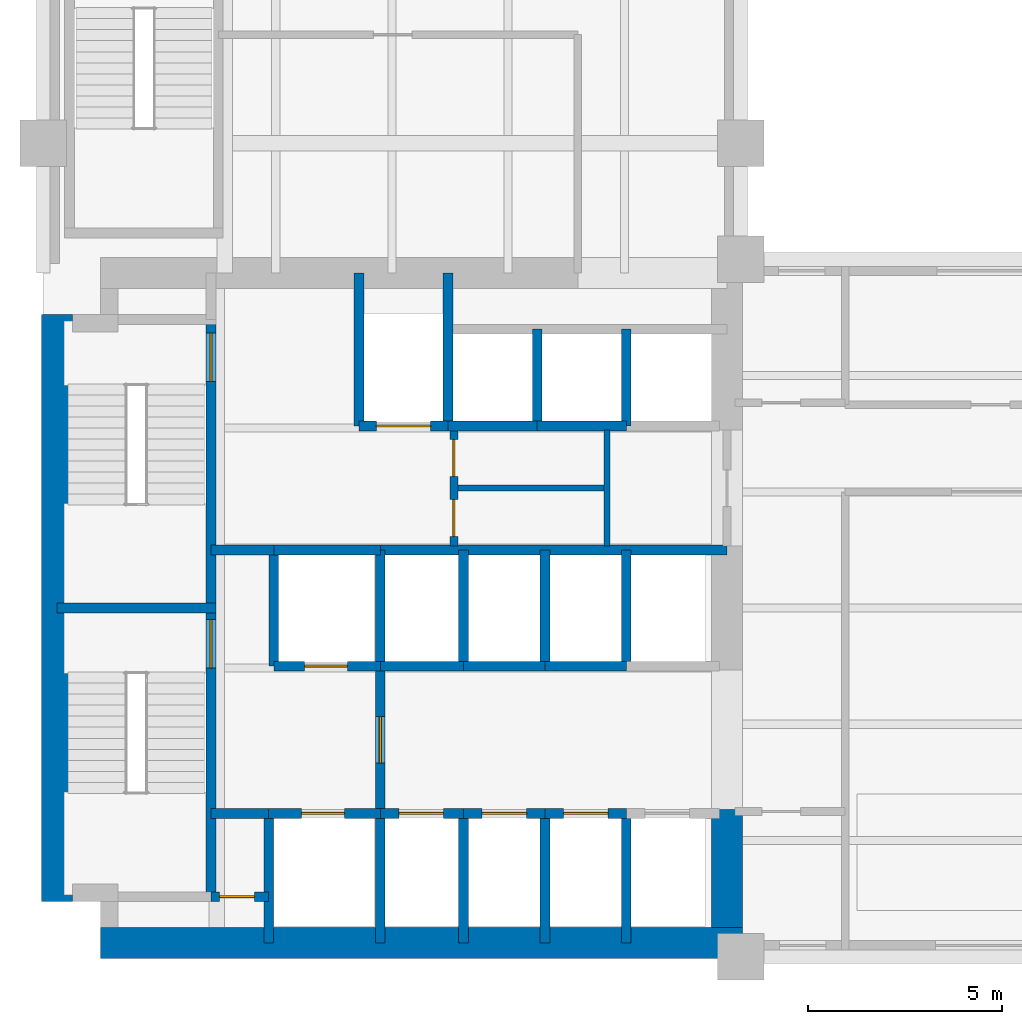
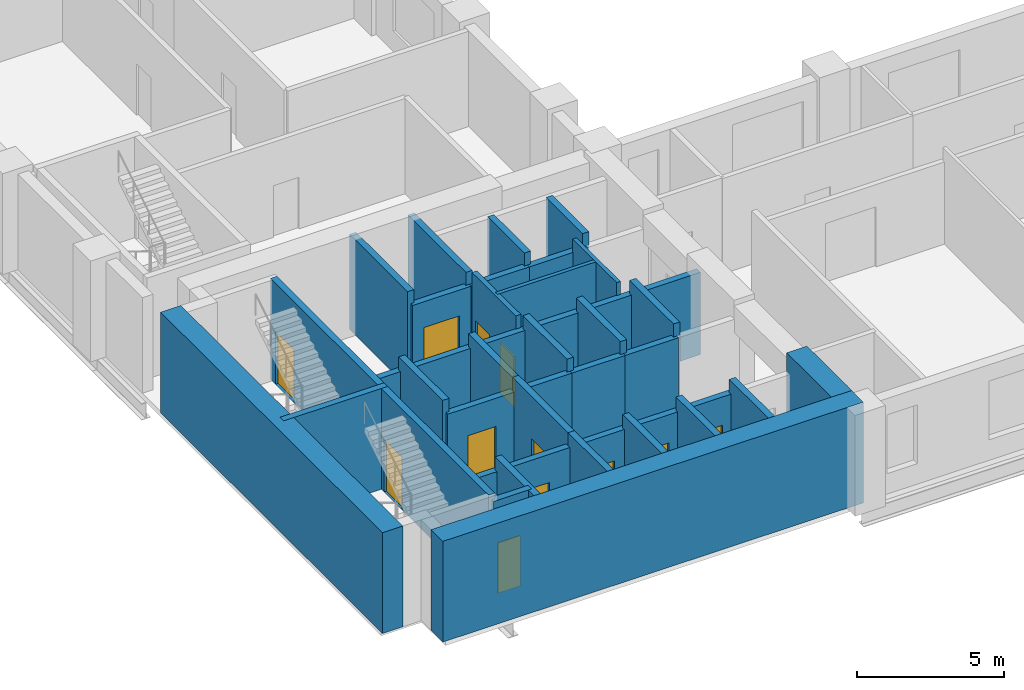
# One storey, part 3 of 7: 40 walls, 12 doors, 12 openings.
"""IFC4 building model written with IfcOpenShell, lengths in metres."""

from ifc_helpers import new_model, si_unit, direction, frame, frame_2d, origin, place, context, subcontext, project, spatial, rectangle, extrude, material, layer, layer_set, type_object, element, fill, save


model = new_model("IFC4")

# Units and contexts
model_context = context("Model", 3, precision=1e-05, world=origin(), true_north=direction((0.0, 1.0)))
body_context = subcontext(model_context, "Body", "Model", "MODEL_VIEW")
ifc_project = project(units=[si_unit("LENGTHUNIT", "METRE"), si_unit("AREAUNIT", "SQUARE_METRE"), si_unit("VOLUMEUNIT", "CUBIC_METRE"), si_unit("PLANEANGLEUNIT", "RADIAN"), si_unit("MASSUNIT", "GRAM", prefix="KILO")], contexts=[model_context])

# Site, building, storey
site_placement = place(None, origin())
site = spatial("IfcSite", under=ifc_project, at=site_placement, CompositionType="ELEMENT")
building_placement = place(site_placement, origin())
building = spatial("IfcBuilding", under=site, at=building_placement, Name="Mawjdan Bourse Tower", CompositionType="ELEMENT")
storey_placement = place(building_placement, frame((0.0, 0.0, 67.800048828125)))
storey = spatial("IfcBuildingStorey", under=building, at=storey_placement, Name="L15", CompositionType="ELEMENT", Elevation=67.800048828125)

# Wall, openings, doors
ifc_material_1 = material(Name="Gypsum Fireboard Assembly")
ifc_layer_1 = layer(ifc_material_1, 0.199951171875)
ifc_layer_set_1 = layer_set([ifc_layer_1], Name="Gypsum Fireboard Assembly")
wall_type_1 = type_object("IfcWallType", Name="WL-CMP-200", PredefinedType="PARTITIONING", material=ifc_layer_set_1)
wall_1_placement = place(storey_placement, frame((16.60009765625, 13.60009765625, 0.0), z_axis=(0.0, 0.0, 1.0), x_axis=(0.0, 1.0, 0.0)))
wall_1 = element("IfcWall", 1, at=wall_1_placement, inside=storey, type_object=wall_type_1, Name="L15 Core Restroom West Wall", PredefinedType="PARTITIONING", context=body_context, shape_type="SweptSolid", body=[
    extrude(rectangle(XDim=3.0, YDim=0.199951171875, at=frame_2d((1.5, 0.0))), origin(), (0.0, 0.0, 1.0), 3.969970703125),
])
opening_1_placement = place(wall_1_placement, frame((0.25, 0.0, 0.0)))
opening_1 = element("IfcOpeningElement", 2, at=opening_1_placement, cuts=wall_1, Name="Opening D-L15-14", PredefinedType="OPENING", context=body_context, shape_type="SweptSolid", body=[
    extrude(rectangle(XDim=0.949951171875, YDim=2.10009765625, at=frame_2d((0.47509765625, 1.050048828125))), frame((0.0, 0.10986328125, 0.0), z_axis=(0.0, -1.0, 0.0), x_axis=(1.0, 0.0, 0.0)), (0.0, 0.0, 1.0), 0.219970703125),
])
opening_2_placement = place(wall_1_placement, frame((1.800048828125, 0.0, 0.0)))
opening_2 = element("IfcOpeningElement", 3, at=opening_2_placement, cuts=wall_1, Name="Opening D-L15-15", PredefinedType="OPENING", context=body_context, shape_type="SweptSolid", body=[
    extrude(rectangle(XDim=0.949951171875, YDim=2.10009765625, at=frame_2d((0.47509765625, 1.050048828125))), frame((0.0, 0.10986328125, 0.0), z_axis=(0.0, -1.0, 0.0), x_axis=(1.0, 0.0, 0.0)), (0.0, 0.0, 1.0), 0.219970703125),
])
ifc_material_2 = material(Name="Moisture-Resistant Laminate Timber", Category="wood")
door_type_1 = type_object("IfcDoorType", Name="DR-WET-0950", OperationType="NOTDEFINED", PredefinedType="DOOR", material=ifc_material_2)
door_1_placement = place(opening_1_placement, origin())
door_1 = element("IfcDoor", 4, at=door_1_placement, inside=storey, type_object=door_type_1, Name="L15 Accessible WC West Entry Door D-L15-14", OperationType="SINGLE_SWING_RIGHT", OverallHeight=2.10009765625, OverallWidth=0.949951171875, PredefinedType="DOOR", context=body_context, shape_type="SweptSolid", body=[
    extrude(rectangle(XDim=0.949951171875, YDim=2.10009765625, at=frame_2d((0.47509765625, 1.050048828125))), frame((0.0, 0.02490234375, 0.0), z_axis=(0.0, -1.0, 0.0), x_axis=(1.0, 0.0, 0.0)), (0.0, 0.0, 1.0), 0.050048828125),
])
fill(opening_1, door_1)
door_2_placement = place(opening_2_placement, origin())
door_2 = element("IfcDoor", 5, at=door_2_placement, inside=storey, type_object=door_type_1, Name="L15 Male Restroom West Entry Door D-L15-15", OperationType="SINGLE_SWING_LEFT", OverallHeight=2.10009765625, OverallWidth=0.949951171875, PredefinedType="DOOR", context=body_context, shape_type="SweptSolid", body=[
    extrude(rectangle(XDim=0.949951171875, YDim=2.10009765625, at=frame_2d((0.47509765625, 1.050048828125))), frame((0.0, 0.02490234375, 0.0), z_axis=(0.0, -1.0, 0.0), x_axis=(1.0, 0.0, 0.0)), (0.0, 0.0, 1.0), 0.050048828125),
])
fill(opening_2, door_2)

# Walls
ifc_material_3 = material(Name="Concrete C80/95", Category="concrete")
ifc_layer_2 = layer(ifc_material_3, 0.800048828125)
ifc_layer_set_2 = layer_set([ifc_layer_2], Name="Concrete C80/95")
wall_type_2 = type_object("IfcWallType", Name="WL-CORE-800", PredefinedType="SHEAR", material=ifc_layer_set_2)
wall_2_placement = place(storey_placement, frame((7.47509765625, 3.35009765625, 0.0), z_axis=(0.0, 0.0, 1.0), x_axis=(1.0, 0.0, 0.0)))
element("IfcWall", 6, at=wall_2_placement, inside=storey, type_object=wall_type_2, Name="L15 Rear Core Shear Wall S", PredefinedType="SHEAR", context=body_context, shape_type="SweptSolid", body=[
    extrude(rectangle(XDim=16.574951171875, YDim=0.800048828125, at=frame_2d((8.28759765625, 0.0))), origin(), (0.0, 0.0, 1.0), 4.199951171875),
])
wall_3_placement = place(storey_placement, frame((6.35009765625, 4.425048828125, 0.0), z_axis=(0.0, 0.0, 1.0), x_axis=(0.0, 1.0, 0.0)))
element("IfcWall", 7, at=wall_3_placement, inside=storey, type_object=wall_type_2, Name="L15 Rear Core Shear Wall W", PredefinedType="SHEAR", context=body_context, shape_type="SweptSolid", body=[
    extrude(rectangle(XDim=15.14990234375, YDim=0.800048828125, at=frame_2d((7.574951171875, 0.0))), origin(), (0.0, 0.0, 1.0), 4.199951171875),
])
wall_4_placement = place(storey_placement, frame((23.64990234375, 3.75, 0.0), z_axis=(0.0, 0.0, 1.0), x_axis=(0.0, 1.0, 0.0)))
element("IfcWall", 8, at=wall_4_placement, inside=storey, type_object=wall_type_2, Name="L15 Rear Core Shear Wall E1", PredefinedType="SHEAR", context=body_context, shape_type="SweptSolid", body=[
    extrude(rectangle(XDim=3.050048828125, YDim=0.800048828125, at=frame_2d((1.52490234375, 0.0))), origin(), (0.0, 0.0, 1.0), 4.199951171875),
])
ifc_material_4 = material(Name="Gypsum Acoustic Partition")
ifc_layer_3 = layer(ifc_material_4, 0.14990234375)
ifc_layer_set_3 = layer_set([ifc_layer_3], Name="Gypsum Acoustic Partition")
wall_type_3 = type_object("IfcWallType", Name="WL-PRT-150", PredefinedType="PARTITIONING", material=ifc_layer_set_3)
wall_5_placement = place(storey_placement, frame((16.60009765625, 15.10009765625, 0.0), z_axis=(0.0, 0.0, 1.0), x_axis=(1.0, 0.0, 0.0)))
element("IfcWall", 9, at=wall_5_placement, inside=storey, type_object=wall_type_3, Name="L15 Core Restroom West Horizontal Split", PredefinedType="PARTITIONING", context=body_context, shape_type="SweptSolid", body=[
    extrude(rectangle(XDim=3.949951171875, YDim=0.14990234375, at=frame_2d((1.97509765625, 0.0))), origin(), (0.0, 0.0, 1.0), 3.969970703125),
])
wall_6_placement = place(storey_placement, frame((20.550048828125, 13.60009765625, 0.0), z_axis=(0.0, 0.0, 1.0), x_axis=(0.0, 1.0, 0.0)))
element("IfcWall", 10, at=wall_6_placement, inside=storey, type_object=wall_type_3, Name="L15 Core Restroom Vertical Split", PredefinedType="PARTITIONING", context=body_context, shape_type="SweptSolid", body=[
    extrude(rectangle(XDim=3.0, YDim=0.14990234375, at=frame_2d((1.5, 0.0))), origin(), (0.0, 0.0, 1.0), 3.969970703125),
])

# Wall, opening, door
ifc_material_5 = material(Name="Concrete C50/60", Category="concrete")
ifc_layer_4 = layer(ifc_material_5, 0.25)
ifc_layer_set_4 = layer_set([ifc_layer_4], Name="Concrete C50/60")
wall_type_4 = type_object("IfcWallType", Name="WL-SHFT-250", PredefinedType="PARTITIONING", material=ifc_layer_set_4)
wall_7_placement = place(storey_placement, frame((10.330078125, 4.550048828125, 0.0), z_axis=(0.0, 0.0, 1.0), x_axis=(1.0, 0.0, 0.0)))
wall_7 = element("IfcWall", 11, at=wall_7_placement, inside=storey, type_object=wall_type_4, Name="L15 SW Riser North Wall", PredefinedType="PARTITIONING", context=body_context, shape_type="SweptSolid", body=[
    extrude(rectangle(XDim=1.489990234375, YDim=0.25, at=frame_2d((0.7451171875, 0.0))), origin(), (0.0, 0.0, 1.0), 3.969970703125),
])
opening_3_placement = place(wall_7_placement, frame((0.219970703125, 0.0, 0.0)))
opening_3 = element("IfcOpeningElement", 12, at=opening_3_placement, cuts=wall_7, Name="Opening RD-L15-03", PredefinedType="OPENING", context=body_context, shape_type="SweptSolid", body=[
    extrude(rectangle(XDim=0.89990234375, YDim=2.10009765625, at=frame_2d((0.449951171875, 1.050048828125))), frame((0.0, 0.135009765625, 0.0), z_axis=(0.0, -1.0, 0.0), x_axis=(1.0, 0.0, 0.0)), (0.0, 0.0, 1.0), 0.27001953125),
])
ifc_material_6 = material(Name="Fire-Rated Steel Access Leaf", Category="steel")
door_type_2 = type_object("IfcDoorType", Name="FD-RSR-0900", OperationType="NOTDEFINED", PredefinedType="TRAPDOOR", material=ifc_material_6)
door_3_placement = place(opening_3_placement, origin())
door_3 = element("IfcDoor", 13, at=door_3_placement, inside=storey, type_object=door_type_2, Name="L15 Electrical Riser Access Door RD-L15-03", OperationType="SINGLE_SWING_RIGHT", OverallHeight=2.10009765625, OverallWidth=0.89990234375, PredefinedType="TRAPDOOR", context=body_context, shape_type="SweptSolid", body=[
    extrude(rectangle(XDim=0.89990234375, YDim=2.10009765625, at=frame_2d((0.449951171875, 1.050048828125))), frame((0.0, 0.02490234375, 0.0), z_axis=(0.0, -1.0, 0.0), x_axis=(1.0, 0.0, 0.0)), (0.0, 0.0, 1.0), 0.050048828125),
])
fill(opening_3, door_3)

# Wall
wall_8_placement = place(storey_placement, frame((11.820068359375, 3.35009765625, 0.0), z_axis=(0.0, 0.0, 1.0), x_axis=(0.0, 1.0, 0.0)))
element("IfcWall", 14, at=wall_8_placement, inside=storey, type_object=wall_type_4, Name="L15 SW Riser & FFL01 West Wall", PredefinedType="PARTITIONING", context=body_context, shape_type="SweptSolid", body=[
    extrude(rectangle(XDim=3.349853515625, YDim=0.25, at=frame_2d((1.6748046875, 0.0))), origin(), (0.0, 0.0, 1.0), 3.969970703125),
])

# Wall, opening, door
wall_9_placement = place(storey_placement, frame((11.820068359375, 6.699951171875, 0.0), z_axis=(0.0, 0.0, 1.0), x_axis=(1.0, 0.0, 0.0)))
wall_9 = element("IfcWall", 15, at=wall_9_placement, inside=storey, type_object=wall_type_4, Name="L15 FFL-01 Front Shaft Wall", PredefinedType="PARTITIONING", context=body_context, shape_type="SweptSolid", body=[
    extrude(rectangle(XDim=2.8798828125, YDim=0.25, at=frame_2d((1.43994140625, 0.0))), origin(), (0.0, 0.0, 1.0), 3.426025390625),
])
opening_4_placement = place(wall_9_placement, frame((0.85009765625, 0.0, 0.0)))
opening_4 = element("IfcOpeningElement", 16, at=opening_4_placement, cuts=wall_9, Name="Opening LD-L15-05", PredefinedType="OPENING", context=body_context, shape_type="SweptSolid", body=[
    extrude(rectangle(XDim=1.10009765625, YDim=2.25, at=frame_2d((0.550048828125, 1.125))), frame((0.0, 0.135009765625, 0.0), z_axis=(0.0, -1.0, 0.0), x_axis=(1.0, 0.0, 0.0)), (0.0, 0.0, 1.0), 0.27001953125),
])
ifc_material_7 = material(Name="Brushed Stainless Steel", Category="steel")
door_type_3 = type_object("IfcDoorType", Name="LD-FFL-1100", OperationType="DOUBLE_DOOR_SLIDING", PredefinedType="DOOR", material=ifc_material_7)
door_4_placement = place(opening_4_placement, origin())
door_4 = element("IfcDoor", 17, at=door_4_placement, inside=storey, type_object=door_type_3, Name="L15 Firefighting Lift FFL-01 Landing Door LD-L15-05", OperationType="DOUBLE_DOOR_SLIDING", OverallHeight=2.25, OverallWidth=1.10009765625, PredefinedType="DOOR", context=body_context, shape_type="SweptSolid", body=[
    extrude(rectangle(XDim=1.10009765625, YDim=2.25, at=frame_2d((0.550048828125, 1.125))), frame((0.0, 0.02490234375, 0.0), z_axis=(0.0, -1.0, 0.0), x_axis=(1.0, 0.0, 0.0)), (0.0, 0.0, 1.0), 0.050048828125),
])
fill(opening_4, door_4)

# Wall
wall_10_placement = place(storey_placement, frame((14.699951171875, 3.35009765625, 0.0), z_axis=(0.0, 0.0, 1.0), x_axis=(0.0, 1.0, 0.0)))
element("IfcWall", 18, at=wall_10_placement, inside=storey, type_object=wall_type_4, Name="L15 FFL-01 East Shaft Wall", PredefinedType="PARTITIONING", context=body_context, shape_type="SweptSolid", body=[
    extrude(rectangle(XDim=3.349853515625, YDim=0.25, at=frame_2d((1.6748046875, 0.0))), origin(), (0.0, 0.0, 1.0), 3.969970703125),
])

# Wall, opening, door
wall_11_placement = place(storey_placement, frame((11.949951171875, 10.5, 0.0), z_axis=(0.0, 0.0, 1.0), x_axis=(1.0, 0.0, 0.0)))
wall_11 = element("IfcWall", 19, at=wall_11_placement, inside=storey, type_object=wall_type_4, Name="L15 FFL-02 Front Shaft Wall", PredefinedType="PARTITIONING", context=body_context, shape_type="SweptSolid", body=[
    extrude(rectangle(XDim=2.75, YDim=0.25, at=frame_2d((1.375, 0.0))), origin(), (0.0, 0.0, 1.0), 3.426025390625),
])
opening_5_placement = place(wall_11_placement, frame((0.800048828125, 0.0, 0.0)))
opening_5 = element("IfcOpeningElement", 20, at=opening_5_placement, cuts=wall_11, Name="Opening LD-L15-06", PredefinedType="OPENING", context=body_context, shape_type="SweptSolid", body=[
    extrude(rectangle(XDim=1.10009765625, YDim=2.25, at=frame_2d((0.550048828125, 1.125))), frame((0.0, 0.135009765625, 0.0), z_axis=(0.0, -1.0, 0.0), x_axis=(1.0, 0.0, 0.0)), (0.0, 0.0, 1.0), 0.27001953125),
])
door_5_placement = place(opening_5_placement, origin())
door_5 = element("IfcDoor", 21, at=door_5_placement, inside=storey, type_object=door_type_3, Name="L15 Firefighting Lift FFL-02 Landing Door LD-L15-06", OperationType="DOUBLE_DOOR_SLIDING", OverallHeight=2.25, OverallWidth=1.10009765625, PredefinedType="DOOR", context=body_context, shape_type="SweptSolid", body=[
    extrude(rectangle(XDim=1.10009765625, YDim=2.25, at=frame_2d((0.550048828125, 1.125))), frame((0.0, 0.02490234375, 0.0), z_axis=(0.0, -1.0, 0.0), x_axis=(1.0, 0.0, 0.0)), (0.0, 0.0, 1.0), 0.050048828125),
])
fill(opening_5, door_5)

# Walls
wall_12_placement = place(storey_placement, frame((11.949951171875, 10.5, 0.0), z_axis=(0.0, 0.0, 1.0), x_axis=(0.0, 1.0, 0.0)))
element("IfcWall", 22, at=wall_12_placement, inside=storey, type_object=wall_type_4, Name="L15 FFL-02 West Shaft Wall", PredefinedType="PARTITIONING", context=body_context, shape_type="SweptSolid", body=[
    extrude(rectangle(XDim=3.0, YDim=0.25, at=frame_2d((1.5, 0.0))), origin(), (0.0, 0.0, 1.0), 3.969970703125),
])
wall_13_placement = place(storey_placement, frame((11.949951171875, 13.5, 0.0), z_axis=(0.0, 0.0, 1.0), x_axis=(1.0, 0.0, 0.0)))
element("IfcWall", 23, at=wall_13_placement, inside=storey, type_object=wall_type_4, Name="L15 FFL-02 North Shaft Wall", PredefinedType="PARTITIONING", context=body_context, shape_type="SweptSolid", body=[
    extrude(rectangle(XDim=2.75, YDim=0.25, at=frame_2d((1.375, 0.0))), origin(), (0.0, 0.0, 1.0), 3.426025390625),
])
wall_14_placement = place(storey_placement, frame((14.699951171875, 10.5, 0.0), z_axis=(0.0, 0.0, 1.0), x_axis=(0.0, 1.0, 0.0)))
element("IfcWall", 24, at=wall_14_placement, inside=storey, type_object=wall_type_4, Name="L15 FFL-02 East Shaft Wall", PredefinedType="PARTITIONING", context=body_context, shape_type="SweptSolid", body=[
    extrude(rectangle(XDim=3.0, YDim=0.25, at=frame_2d((1.5, 0.0))), origin(), (0.0, 0.0, 1.0), 3.969970703125),
])

# Wall, opening, door
wall_15_placement = place(storey_placement, frame((14.699951171875, 6.699951171875, 0.0), z_axis=(0.0, 0.0, 1.0), x_axis=(0.0, 1.0, 0.0)))
wall_15 = element("IfcWall", 25, at=wall_15_placement, inside=storey, type_object=wall_type_4, Name="L15 Firefighting Lobby East Compartment Wall", PredefinedType="PARTITIONING", context=body_context, shape_type="SweptSolid", body=[
    extrude(rectangle(XDim=3.800048828125, YDim=0.25, at=frame_2d((1.89990234375, 0.0))), origin(), (0.0, 0.0, 1.0), 3.969970703125),
])
opening_6_placement = place(wall_15_placement, frame((1.300048828125, 0.0, 0.0)))
opening_6 = element("IfcOpeningElement", 26, at=opening_6_placement, cuts=wall_15, Name="Opening FD-L15-07", PredefinedType="OPENING", context=body_context, shape_type="SweptSolid", body=[
    extrude(rectangle(XDim=1.199951171875, YDim=2.199951171875, at=frame_2d((0.60009765625, 1.10009765625))), frame((0.0, 0.135009765625, 0.0), z_axis=(0.0, -1.0, 0.0), x_axis=(1.0, 0.0, 0.0)), (0.0, 0.0, 1.0), 0.27001953125),
])
ifc_material_8 = material(Name="Fire-Rated Steel Leaf", Category="steel")
door_type_4 = type_object("IfcDoorType", Name="FD-FFL-1200", OperationType="NOTDEFINED", PredefinedType="DOOR", material=ifc_material_8)
door_6_placement = place(opening_6_placement, origin())
door_6 = element("IfcDoor", 27, at=door_6_placement, inside=storey, type_object=door_type_4, Name="L15 Firefighting Lobby East Smoke Door FD-L15-07", OperationType="SINGLE_SWING_RIGHT", OverallHeight=2.199951171875, OverallWidth=1.199951171875, PredefinedType="DOOR", context=body_context, shape_type="SweptSolid", body=[
    extrude(rectangle(XDim=1.199951171875, YDim=2.199951171875, at=frame_2d((0.60009765625, 1.10009765625))), frame((0.0, 0.02490234375, 0.0), z_axis=(0.0, -1.0, 0.0), x_axis=(1.0, 0.0, 0.0)), (0.0, 0.0, 1.0), 0.050048828125),
])
fill(opening_6, door_6)

# Walls
wall_16_placement = place(storey_placement, frame((10.330078125, 13.5, 0.0), z_axis=(0.0, 0.0, 1.0), x_axis=(1.0, 0.0, 0.0)))
element("IfcWall", 28, at=wall_16_placement, inside=storey, type_object=wall_type_4, Name="L15 Firefighting Lobby North Compartment Wall", PredefinedType="PARTITIONING", context=body_context, shape_type="SweptSolid", body=[
    extrude(rectangle(XDim=1.619873046875, YDim=0.25, at=frame_2d((0.81005859375, 0.0))), origin(), (0.0, 0.0, 1.0), 3.426025390625),
])
wall_17_placement = place(storey_placement, frame((10.330078125, 6.699951171875, 0.0), z_axis=(0.0, 0.0, 1.0), x_axis=(1.0, 0.0, 0.0)))
element("IfcWall", 29, at=wall_17_placement, inside=storey, type_object=wall_type_4, Name="L15 Firefighting Lobby South Closure Wall", PredefinedType="PARTITIONING", context=body_context, shape_type="SweptSolid", body=[
    extrude(rectangle(XDim=1.489990234375, YDim=0.25, at=frame_2d((0.7451171875, 0.0))), origin(), (0.0, 0.0, 1.0), 3.426025390625),
])

# Wall, opening, door
wall_18_placement = place(storey_placement, frame((14.14990234375, 16.699951171875, 0.0), z_axis=(0.0, 0.0, 1.0), x_axis=(1.0, 0.0, 0.0)))
wall_18 = element("IfcWall", 30, at=wall_18_placement, inside=storey, type_object=wall_type_4, Name="L15 SVL-01 Front Shaft Wall", PredefinedType="PARTITIONING", context=body_context, shape_type="SweptSolid", body=[
    extrude(rectangle(XDim=2.300048828125, YDim=0.25, at=frame_2d((1.14990234375, 0.0))), origin(), (0.0, 0.0, 1.0), 3.426025390625),
])
opening_7_placement = place(wall_18_placement, frame((0.449951171875, 0.0, 0.0)))
opening_7 = element("IfcOpeningElement", 31, at=opening_7_placement, cuts=wall_18, Name="Opening LD-L15-09", PredefinedType="OPENING", context=body_context, shape_type="SweptSolid", body=[
    extrude(rectangle(XDim=1.39990234375, YDim=2.35009765625, at=frame_2d((0.699951171875, 1.175048828125))), frame((0.0, 0.135009765625, 0.0), z_axis=(0.0, -1.0, 0.0), x_axis=(1.0, 0.0, 0.0)), (0.0, 0.0, 1.0), 0.27001953125),
])
ifc_material_9 = material(Name="Heavy-Duty Stainless Steel", Category="steel")
door_type_5 = type_object("IfcDoorType", Name="LD-SRV-1400", OperationType="DOUBLE_DOOR_SLIDING", PredefinedType="DOOR", material=ifc_material_9)
door_7_placement = place(opening_7_placement, origin())
door_7 = element("IfcDoor", 32, at=door_7_placement, inside=storey, type_object=door_type_5, Name="L15 Service Lift SVL-01 Landing Door LD-L15-09", OperationType="DOUBLE_DOOR_SLIDING", OverallHeight=2.35009765625, OverallWidth=1.39990234375, PredefinedType="DOOR", context=body_context, shape_type="SweptSolid", body=[
    extrude(rectangle(XDim=1.39990234375, YDim=2.35009765625, at=frame_2d((0.699951171875, 1.175048828125))), frame((0.0, 0.02490234375, 0.0), z_axis=(0.0, -1.0, 0.0), x_axis=(1.0, 0.0, 0.0)), (0.0, 0.0, 1.0), 0.050048828125),
])
fill(opening_7, door_7)

# Walls
for number, where, z_axis, x_axis, name in (
    (33, (14.14990234375, 16.699951171875, 0.0), (0.0, 0.0, 1.0), (0.0, 1.0, 0.0), "L15 SVL-01 West Shaft Wall"),
    (34, (16.449951171875, 16.699951171875, 0.0), (0.0, 0.0, 1.0), (0.0, 1.0, 0.0), "L15 SVL-01 East Shaft Wall"),
):
    element("IfcWall", number, at=place(storey_placement, frame(where, z_axis=z_axis, x_axis=x_axis)), inside=storey, type_object=wall_type_4, Name=name, PredefinedType="PARTITIONING", context=body_context, shape_type="SweptSolid", body=[
        extrude(rectangle(XDim=3.949951171875, YDim=0.25, at=frame_2d((1.97509765625, 0.0))), origin(), (0.0, 0.0, 1.0), 3.969970703125),
    ])
wall_19_placement = place(storey_placement, frame((16.449951171875, 16.699951171875, 0.0), z_axis=(0.0, 0.0, 1.0), x_axis=(1.0, 0.0, 0.0)))
element("IfcWall", 35, at=wall_19_placement, inside=storey, type_object=wall_type_4, Name="L15 PH-01 Front Wall", PredefinedType="PARTITIONING", context=body_context, shape_type="SweptSolid", body=[
    extrude(rectangle(XDim=2.300048828125, YDim=0.25, at=frame_2d((1.14990234375, 0.0))), origin(), (0.0, 0.0, 1.0), 3.426025390625),
])
wall_20_placement = place(storey_placement, frame((18.75, 16.699951171875, 0.0), z_axis=(0.0, 0.0, 1.0), x_axis=(0.0, 1.0, 0.0)))
element("IfcWall", 36, at=wall_20_placement, inside=storey, type_object=wall_type_4, Name="L15 PH-01 Divider Wall", PredefinedType="PARTITIONING", context=body_context, shape_type="SweptSolid", body=[
    extrude(rectangle(XDim=2.5, YDim=0.25, at=frame_2d((1.25, 0.0))), origin(), (0.0, 0.0, 1.0), 3.969970703125),
])
wall_21_placement = place(storey_placement, frame((18.75, 16.699951171875, 0.0), z_axis=(0.0, 0.0, 1.0), x_axis=(1.0, 0.0, 0.0)))
element("IfcWall", 37, at=wall_21_placement, inside=storey, type_object=wall_type_4, Name="L15 PH-02 Front Wall", PredefinedType="PARTITIONING", context=body_context, shape_type="SweptSolid", body=[
    extrude(rectangle(XDim=2.300048828125, YDim=0.25, at=frame_2d((1.14990234375, 0.0))), origin(), (0.0, 0.0, 1.0), 3.426025390625),
])
wall_22_placement = place(storey_placement, frame((21.050048828125, 16.699951171875, 0.0), z_axis=(0.0, 0.0, 1.0), x_axis=(0.0, 1.0, 0.0)))
element("IfcWall", 38, at=wall_22_placement, inside=storey, type_object=wall_type_4, Name="L15 PH-02 Divider Wall", PredefinedType="PARTITIONING", context=body_context, shape_type="SweptSolid", body=[
    extrude(rectangle(XDim=2.5, YDim=0.25, at=frame_2d((1.25, 0.0))), origin(), (0.0, 0.0, 1.0), 3.969970703125),
])

# Wall, opening, door
wall_23_placement = place(storey_placement, frame((14.699951171875, 6.699951171875, 0.0), z_axis=(0.0, 0.0, 1.0), x_axis=(1.0, 0.0, 0.0)))
wall_23 = element("IfcWall", 39, at=wall_23_placement, inside=storey, type_object=wall_type_4, Name="L15 PL-04 Front Wall", PredefinedType="PARTITIONING", context=body_context, shape_type="SweptSolid", body=[
    extrude(rectangle(XDim=2.150146484375, YDim=0.25, at=frame_2d((1.0751953125, 0.0))), origin(), (0.0, 0.0, 1.0), 3.426025390625),
])
opening_8_placement = place(wall_23_placement, frame((0.47998046875, 0.0, 0.0)))
opening_8 = element("IfcOpeningElement", 40, at=opening_8_placement, cuts=wall_23, Name="Opening LD-L15-10", PredefinedType="OPENING", context=body_context, shape_type="SweptSolid", body=[
    extrude(rectangle(XDim=1.14990234375, YDim=2.25, at=frame_2d((0.574951171875, 1.125))), frame((0.0, 0.135009765625, 0.0), z_axis=(0.0, -1.0, 0.0), x_axis=(1.0, 0.0, 0.0)), (0.0, 0.0, 1.0), 0.27001953125),
])
door_type_6 = type_object("IfcDoorType", Name="LD-PAS-1150", OperationType="DOUBLE_DOOR_SLIDING", PredefinedType="DOOR", material=ifc_material_7)
door_8_placement = place(opening_8_placement, origin())
door_8 = element("IfcDoor", 41, at=door_8_placement, inside=storey, type_object=door_type_6, Name="L15 Lift PL-04 Landing Door LD-L15-10", OperationType="DOUBLE_DOOR_SLIDING", OverallHeight=2.25, OverallWidth=1.14990234375, PredefinedType="DOOR", context=body_context, shape_type="SweptSolid", body=[
    extrude(rectangle(XDim=1.14990234375, YDim=2.25, at=frame_2d((0.574951171875, 1.125))), frame((0.0, 0.02490234375, 0.0), z_axis=(0.0, -1.0, 0.0), x_axis=(1.0, 0.0, 0.0)), (0.0, 0.0, 1.0), 0.050048828125),
])
fill(opening_8, door_8)

# Wall
wall_24_placement = place(storey_placement, frame((16.85009765625, 3.35009765625, 0.0), z_axis=(0.0, 0.0, 1.0), x_axis=(0.0, 1.0, 0.0)))
element("IfcWall", 42, at=wall_24_placement, inside=storey, type_object=wall_type_4, Name="L15 PL-04 Divider Wall", PredefinedType="PARTITIONING", context=body_context, shape_type="SweptSolid", body=[
    extrude(rectangle(XDim=3.349853515625, YDim=0.25, at=frame_2d((1.6748046875, 0.0))), origin(), (0.0, 0.0, 1.0), 3.969970703125),
])

# Wall, opening, door
wall_25_placement = place(storey_placement, frame((16.85009765625, 6.699951171875, 0.0), z_axis=(0.0, 0.0, 1.0), x_axis=(1.0, 0.0, 0.0)))
wall_25 = element("IfcWall", 43, at=wall_25_placement, inside=storey, type_object=wall_type_4, Name="L15 PL-01 Front Wall", PredefinedType="PARTITIONING", context=body_context, shape_type="SweptSolid", body=[
    extrude(rectangle(XDim=2.099853515625, YDim=0.25, at=frame_2d((1.0498046875, 0.0))), origin(), (0.0, 0.0, 1.0), 3.426025390625),
])
opening_9_placement = place(wall_25_placement, frame((0.47998046875, 0.0, 0.0)))
opening_9 = element("IfcOpeningElement", 44, at=opening_9_placement, cuts=wall_25, Name="Opening LD-L15-11", PredefinedType="OPENING", context=body_context, shape_type="SweptSolid", body=[
    extrude(rectangle(XDim=1.14990234375, YDim=2.25, at=frame_2d((0.574951171875, 1.125))), frame((0.0, 0.135009765625, 0.0), z_axis=(0.0, -1.0, 0.0), x_axis=(1.0, 0.0, 0.0)), (0.0, 0.0, 1.0), 0.27001953125),
])
door_9_placement = place(opening_9_placement, origin())
door_9 = element("IfcDoor", 45, at=door_9_placement, inside=storey, type_object=door_type_6, Name="L15 Lift PL-01 Landing Door LD-L15-11", OperationType="DOUBLE_DOOR_SLIDING", OverallHeight=2.25, OverallWidth=1.14990234375, PredefinedType="DOOR", context=body_context, shape_type="SweptSolid", body=[
    extrude(rectangle(XDim=1.14990234375, YDim=2.25, at=frame_2d((0.574951171875, 1.125))), frame((0.0, 0.02490234375, 0.0), z_axis=(0.0, -1.0, 0.0), x_axis=(1.0, 0.0, 0.0)), (0.0, 0.0, 1.0), 0.050048828125),
])
fill(opening_9, door_9)

# Wall
wall_26_placement = place(storey_placement, frame((18.949951171875, 3.35009765625, 0.0), z_axis=(0.0, 0.0, 1.0), x_axis=(0.0, 1.0, 0.0)))
element("IfcWall", 46, at=wall_26_placement, inside=storey, type_object=wall_type_4, Name="L15 PL-01 Divider Wall", PredefinedType="PARTITIONING", context=body_context, shape_type="SweptSolid", body=[
    extrude(rectangle(XDim=3.349853515625, YDim=0.25, at=frame_2d((1.6748046875, 0.0))), origin(), (0.0, 0.0, 1.0), 3.969970703125),
])

# Wall, opening, door
wall_27_placement = place(storey_placement, frame((18.949951171875, 6.699951171875, 0.0), z_axis=(0.0, 0.0, 1.0), x_axis=(1.0, 0.0, 0.0)))
wall_27 = element("IfcWall", 47, at=wall_27_placement, inside=storey, type_object=wall_type_4, Name="L15 PL-02 Front Wall", PredefinedType="PARTITIONING", context=body_context, shape_type="SweptSolid", body=[
    extrude(rectangle(XDim=2.10009765625, YDim=0.25, at=frame_2d((1.050048828125, 0.0))), origin(), (0.0, 0.0, 1.0), 3.426025390625),
])
opening_10_placement = place(wall_27_placement, frame((0.47998046875, 0.0, 0.0)))
opening_10 = element("IfcOpeningElement", 48, at=opening_10_placement, cuts=wall_27, Name="Opening LD-L15-12", PredefinedType="OPENING", context=body_context, shape_type="SweptSolid", body=[
    extrude(rectangle(XDim=1.14990234375, YDim=2.25, at=frame_2d((0.574951171875, 1.125))), frame((0.0, 0.135009765625, 0.0), z_axis=(0.0, -1.0, 0.0), x_axis=(1.0, 0.0, 0.0)), (0.0, 0.0, 1.0), 0.27001953125),
])
door_10_placement = place(opening_10_placement, origin())
door_10 = element("IfcDoor", 49, at=door_10_placement, inside=storey, type_object=door_type_6, Name="L15 Lift PL-02 Landing Door LD-L15-12", OperationType="DOUBLE_DOOR_SLIDING", OverallHeight=2.25, OverallWidth=1.14990234375, PredefinedType="DOOR", context=body_context, shape_type="SweptSolid", body=[
    extrude(rectangle(XDim=1.14990234375, YDim=2.25, at=frame_2d((0.574951171875, 1.125))), frame((0.0, 0.02490234375, 0.0), z_axis=(0.0, -1.0, 0.0), x_axis=(1.0, 0.0, 0.0)), (0.0, 0.0, 1.0), 0.050048828125),
])
fill(opening_10, door_10)

# Walls
wall_28_placement = place(storey_placement, frame((21.050048828125, 3.35009765625, 0.0), z_axis=(0.0, 0.0, 1.0), x_axis=(0.0, 1.0, 0.0)))
element("IfcWall", 50, at=wall_28_placement, inside=storey, type_object=wall_type_4, Name="L15 PL-02 Divider Wall", PredefinedType="PARTITIONING", context=body_context, shape_type="SweptSolid", body=[
    extrude(rectangle(XDim=3.349853515625, YDim=0.25, at=frame_2d((1.6748046875, 0.0))), origin(), (0.0, 0.0, 1.0), 3.969970703125),
])
wall_29_placement = place(storey_placement, frame((14.699951171875, 10.5, 0.0), z_axis=(0.0, 0.0, 1.0), x_axis=(1.0, 0.0, 0.0)))
element("IfcWall", 51, at=wall_29_placement, inside=storey, type_object=wall_type_4, Name="L15 PM-01 Front Wall", PredefinedType="PARTITIONING", context=body_context, shape_type="SweptSolid", body=[
    extrude(rectangle(XDim=2.150146484375, YDim=0.25, at=frame_2d((1.0751953125, 0.0))), origin(), (0.0, 0.0, 1.0), 3.426025390625),
])
wall_30_placement = place(storey_placement, frame((16.85009765625, 10.5, 0.0), z_axis=(0.0, 0.0, 1.0), x_axis=(0.0, 1.0, 0.0)))
element("IfcWall", 52, at=wall_30_placement, inside=storey, type_object=wall_type_4, Name="L15 PM-01 Divider Wall", PredefinedType="PARTITIONING", context=body_context, shape_type="SweptSolid", body=[
    extrude(rectangle(XDim=3.0, YDim=0.25, at=frame_2d((1.5, 0.0))), origin(), (0.0, 0.0, 1.0), 3.969970703125),
])
wall_31_placement = place(storey_placement, frame((16.85009765625, 10.5, 0.0), z_axis=(0.0, 0.0, 1.0), x_axis=(1.0, 0.0, 0.0)))
element("IfcWall", 53, at=wall_31_placement, inside=storey, type_object=wall_type_4, Name="L15 PM-02 Front Wall", PredefinedType="PARTITIONING", context=body_context, shape_type="SweptSolid", body=[
    extrude(rectangle(XDim=2.099853515625, YDim=0.25, at=frame_2d((1.0498046875, 0.0))), origin(), (0.0, 0.0, 1.0), 3.426025390625),
])
wall_32_placement = place(storey_placement, frame((18.949951171875, 10.5, 0.0), z_axis=(0.0, 0.0, 1.0), x_axis=(0.0, 1.0, 0.0)))
element("IfcWall", 54, at=wall_32_placement, inside=storey, type_object=wall_type_4, Name="L15 PM-02 Divider Wall", PredefinedType="PARTITIONING", context=body_context, shape_type="SweptSolid", body=[
    extrude(rectangle(XDim=3.0, YDim=0.25, at=frame_2d((1.5, 0.0))), origin(), (0.0, 0.0, 1.0), 3.969970703125),
])
wall_33_placement = place(storey_placement, frame((18.949951171875, 10.5, 0.0), z_axis=(0.0, 0.0, 1.0), x_axis=(1.0, 0.0, 0.0)))
element("IfcWall", 55, at=wall_33_placement, inside=storey, type_object=wall_type_4, Name="L15 PM-03 Front Wall", PredefinedType="PARTITIONING", context=body_context, shape_type="SweptSolid", body=[
    extrude(rectangle(XDim=2.10009765625, YDim=0.25, at=frame_2d((1.050048828125, 0.0))), origin(), (0.0, 0.0, 1.0), 3.426025390625),
])
wall_34_placement = place(storey_placement, frame((21.050048828125, 10.5, 0.0), z_axis=(0.0, 0.0, 1.0), x_axis=(0.0, 1.0, 0.0)))
element("IfcWall", 56, at=wall_34_placement, inside=storey, type_object=wall_type_4, Name="L15 PM-03 Divider Wall", PredefinedType="PARTITIONING", context=body_context, shape_type="SweptSolid", body=[
    extrude(rectangle(XDim=3.0, YDim=0.25, at=frame_2d((1.5, 0.0))), origin(), (0.0, 0.0, 1.0), 3.969970703125),
])
wall_35_placement = place(storey_placement, frame((14.699951171875, 13.5, 0.0), z_axis=(0.0, 0.0, 1.0), x_axis=(1.0, 0.0, 0.0)))
element("IfcWall", 57, at=wall_35_placement, inside=storey, type_object=wall_type_4, Name="L15 PM Bank North Shaft Back Wall", PredefinedType="PARTITIONING", context=body_context, shape_type="SweptSolid", body=[
    extrude(rectangle(XDim=8.949951171875, YDim=0.25, at=frame_2d((4.47509765625, 0.0))), origin(), (0.0, 0.0, 1.0), 3.426025390625),
])
ifc_layer_5 = layer(ifc_material_5, 0.25)
ifc_layer_set_5 = layer_set([ifc_layer_5], Name="Concrete C50/60")
wall_type_5 = type_object("IfcWallType", Name="WL-STRW-250", PredefinedType="SHEAR", material=ifc_layer_set_5)
wall_36_placement = place(storey_placement, frame((6.35009765625, 12.0, 0.0), z_axis=(0.0, 0.0, 1.0), x_axis=(1.0, 0.0, 0.0)))
element("IfcWall", 58, at=wall_36_placement, inside=storey, type_object=wall_type_5, Name="L15 Stairwell Dividing Shaft Wall", PredefinedType="SHEAR", context=body_context, shape_type="SweptSolid", body=[
    extrude(rectangle(XDim=4.10498046875, YDim=0.25, at=frame_2d((2.052490234375, 0.0))), origin(), (0.0, 0.0, 1.0), 4.199951171875),
])

# Wall, opening, door
wall_37_placement = place(storey_placement, frame((10.330078125, 4.550048828125, 0.0), z_axis=(0.0, 0.0, 1.0), x_axis=(0.0, 1.0, 0.0)))
wall_37 = element("IfcWall", 59, at=wall_37_placement, inside=storey, type_object=wall_type_5, Name="L15 Stairwell ST1 East Enclosure Wall", PredefinedType="SHEAR", context=body_context, shape_type="SweptSolid", body=[
    extrude(rectangle(XDim=7.449951171875, YDim=0.25, at=frame_2d((3.72509765625, 0.0))), origin(), (0.0, 0.0, 1.0), 4.199951171875),
])
opening_11_placement = place(wall_37_placement, frame((5.89990234375, 0.0, 0.0)))
opening_11 = element("IfcOpeningElement", 60, at=opening_11_placement, cuts=wall_37, Name="Opening SD-L15-01", PredefinedType="OPENING", context=body_context, shape_type="SweptSolid", body=[
    extrude(rectangle(XDim=1.25, YDim=2.199951171875, at=frame_2d((0.625, 1.10009765625))), frame((0.0, 0.135009765625, 0.0), z_axis=(0.0, -1.0, 0.0), x_axis=(1.0, 0.0, 0.0)), (0.0, 0.0, 1.0), 0.27001953125),
])
door_type_7 = type_object("IfcDoorType", Name="FD-ST-1250", OperationType="NOTDEFINED", PredefinedType="DOOR", material=ifc_material_8)
door_11_placement = place(opening_11_placement, origin())
door_11 = element("IfcDoor", 61, at=door_11_placement, inside=storey, type_object=door_type_7, Name="L15 Exit Stair ST1 Fire Door SD-L15-01", OperationType="SINGLE_SWING_RIGHT", OverallHeight=2.199951171875, OverallWidth=1.25, PredefinedType="DOOR", context=body_context, shape_type="SweptSolid", body=[
    extrude(rectangle(XDim=1.25, YDim=2.199951171875, at=frame_2d((0.625, 1.10009765625))), frame((0.0, 0.02490234375, 0.0), z_axis=(0.0, -1.0, 0.0), x_axis=(1.0, 0.0, 0.0)), (0.0, 0.0, 1.0), 0.050048828125),
])
fill(opening_11, door_11)

wall_38_placement = place(storey_placement, frame((10.330078125, 12.0, 0.0), z_axis=(0.0, 0.0, 1.0), x_axis=(0.0, 1.0, 0.0)))
wall_38 = element("IfcWall", 62, at=wall_38_placement, inside=storey, type_object=wall_type_5, Name="L15 Stairwell ST2 East Enclosure Wall", PredefinedType="SHEAR", context=body_context, shape_type="SweptSolid", body=[
    extrude(rectangle(XDim=7.449951171875, YDim=0.25, at=frame_2d((3.72509765625, 0.0))), origin(), (0.0, 0.0, 1.0), 4.199951171875),
])
opening_12_placement = place(wall_38_placement, frame((5.85009765625, 0.0, 0.0)))
opening_12 = element("IfcOpeningElement", 63, at=opening_12_placement, cuts=wall_38, Name="Opening SD-L15-02", PredefinedType="OPENING", context=body_context, shape_type="SweptSolid", body=[
    extrude(rectangle(XDim=1.25, YDim=2.199951171875, at=frame_2d((0.625, 1.10009765625))), frame((0.0, 0.135009765625, 0.0), z_axis=(0.0, -1.0, 0.0), x_axis=(1.0, 0.0, 0.0)), (0.0, 0.0, 1.0), 0.27001953125),
])
door_12_placement = place(opening_12_placement, origin())
door_12 = element("IfcDoor", 64, at=door_12_placement, inside=storey, type_object=door_type_7, Name="L15 Exit Stair ST2 Fire Door SD-L15-02", OperationType="SINGLE_SWING_LEFT", OverallHeight=2.199951171875, OverallWidth=1.25, PredefinedType="DOOR", context=body_context, shape_type="SweptSolid", body=[
    extrude(rectangle(XDim=1.25, YDim=2.199951171875, at=frame_2d((0.625, 1.10009765625))), frame((0.0, 0.02490234375, 0.0), z_axis=(0.0, -1.0, 0.0), x_axis=(1.0, 0.0, 0.0)), (0.0, 0.0, 1.0), 0.050048828125),
])
fill(opening_12, door_12)

save(model, "model.ifc")
